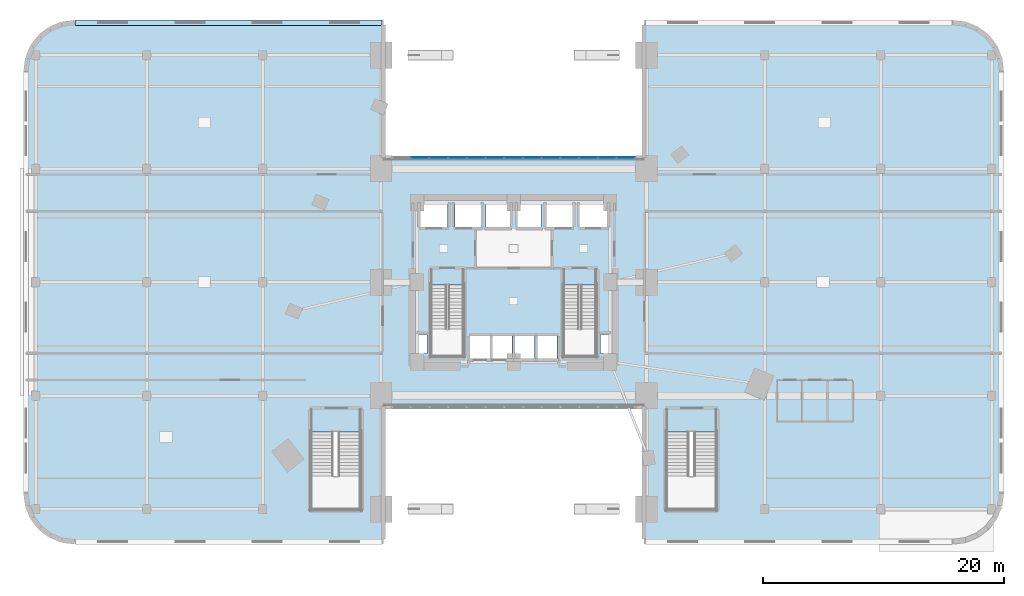
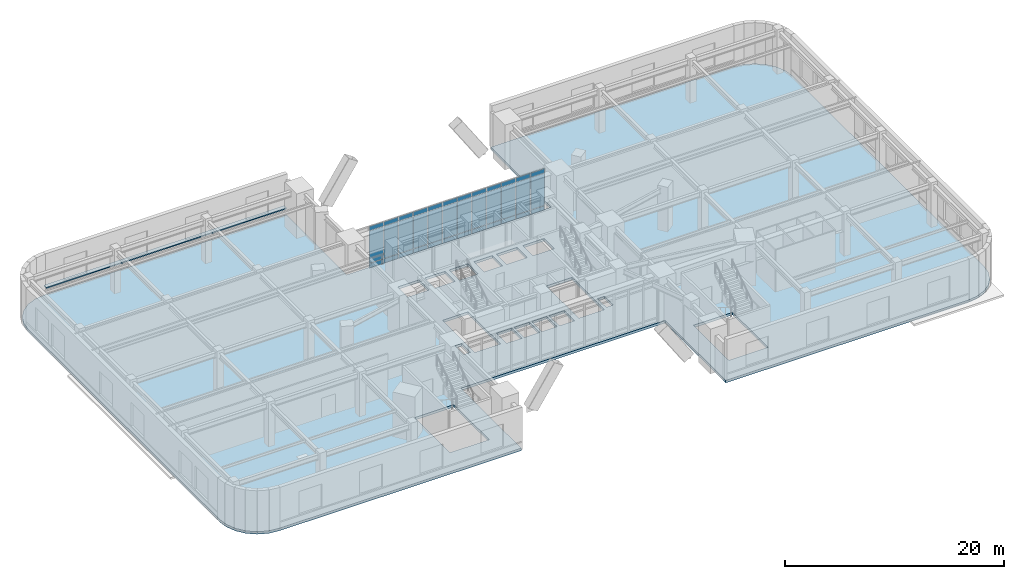
# One storey, part 17 of 26: 37 plates, 1 slab, 1 element without a shape of its own.
"""IFC4 building model written with IfcOpenShell, lengths in metres."""

from ifc_helpers import new_model, si_unit, direction, frame, origin, origin_2d, place, context, subcontext, project, spatial, polyline, rectangle, outline, extrude, material, layer, layer_set, type_object, element, aggregate, save


model = new_model("IFC4")

# Units and contexts
model_context = context("Model", 3, precision=1e-05, world=origin(), true_north=direction((0.0, 1.0)))
body_context = subcontext(model_context, "Body", "Model", "MODEL_VIEW")
ifc_project = project(units=[si_unit("LENGTHUNIT", "METRE"), si_unit("AREAUNIT", "SQUARE_METRE"), si_unit("VOLUMEUNIT", "CUBIC_METRE"), si_unit("PLANEANGLEUNIT", "RADIAN"), si_unit("MASSUNIT", "GRAM", prefix="KILO")], contexts=[model_context])

# Site, building, storey
site_placement = place(None, origin())
site = spatial("IfcSite", under=ifc_project, at=site_placement, CompositionType="ELEMENT")
building_placement = place(site_placement, origin())
building = spatial("IfcBuilding", under=site, at=building_placement, Name="Ndelora Gate Hotel", CompositionType="ELEMENT")
storey_placement = place(building_placement, frame((0.0, 0.0, 6.0)))
storey = spatial("IfcBuildingStorey", under=building, at=storey_placement, Name="L01", CompositionType="ELEMENT", Elevation=6.0)

# Curtain wall, plates
ifc_material_1 = material(Name="Bronze Anodised Unitised Aluminium and Low-E Glass", Category="aluminium")
ifc_layer_1 = layer(ifc_material_1, 0.239990234375)
ifc_layer_set_1 = layer_set([ifc_layer_1], Name="Bronze Anodised Unitised Aluminium and Low-E Glass")
curtain_wall_type = type_object("IfcCurtainWallType", Name="CW-SYS-1", PredefinedType="NOTDEFINED", material=ifc_layer_set_1)
curtain_wall_placement = place(storey_placement, origin())
curtain_wall = element("IfcCurtainWall", 1, at=curtain_wall_placement, inside=storey, type_object=curtain_wall_type, Name="L01 North Portal Arch Concourse Curtain Wall CW1", PredefinedType="NOTDEFINED")
ifc_material_2 = material(Name="Solar-Control Low-E Insulated Glazing", Category="glass")
ifc_layer_2 = layer(ifc_material_2, 0.048095703125)
ifc_layer_set_2 = layer_set([ifc_layer_2], Name="Solar-Control Low-E Insulated Glazing")
plate_type_1 = type_object("IfcPlateType", Name="PL-CW-GLZ36", PredefinedType="CURTAIN_PANEL", material=ifc_layer_set_2)
plate_1_placement = place(storey_placement, frame((9.287109375, 10.320068359375, 0.05908203125), z_axis=(0.0, 0.0, 1.0), x_axis=(-1.0, 0.0, 0.0)))
plate_1 = element("IfcPlate", 2, at=plate_1_placement, type_object=plate_type_1, Name="CW1 panel 1.1", PredefinedType="CURTAIN_PANEL", context=body_context, shape_type="SweptSolid", body=[
    extrude(rectangle(XDim=1.457763671875, YDim=0.048095703125, at=origin_2d()), origin(), (0.0, 0.0, 1.0), 0.464599609375),
])
plate_2_placement = place(storey_placement, frame((9.287109375, 10.320068359375, 0.57666015625), z_axis=(0.0, 0.0, 1.0), x_axis=(-1.0, 0.0, 0.0)))
plate_2 = element("IfcPlate", 3, at=plate_2_placement, type_object=plate_type_1, Name="CW1 panel 1.2", PredefinedType="CURTAIN_PANEL", context=body_context, shape_type="SweptSolid", body=[
    extrude(rectangle(XDim=1.457763671875, YDim=0.048095703125, at=origin_2d()), origin(), (0.0, 0.0, 1.0), 3.56689453125),
])
plate_3_placement = place(storey_placement, frame((9.287109375, 10.320068359375, 4.1962890625), z_axis=(0.0, 0.0, 1.0), x_axis=(-1.0, 0.0, 0.0)))
plate_3 = element("IfcPlate", 4, at=plate_3_placement, type_object=plate_type_1, Name="CW1 panel 1.3", PredefinedType="CURTAIN_PANEL", context=body_context, shape_type="SweptSolid", body=[
    extrude(rectangle(XDim=1.457763671875, YDim=0.048095703125, at=origin_2d()), origin(), (0.0, 0.0, 1.0), 0.464599609375),
])
plate_4_placement = place(storey_placement, frame((7.75390625, 10.320068359375, 0.05908203125), z_axis=(0.0, 0.0, 1.0), x_axis=(-1.0, 0.0, 0.0)))
plate_4 = element("IfcPlate", 5, at=plate_4_placement, type_object=plate_type_1, Name="CW1 panel 2.1", PredefinedType="CURTAIN_PANEL", context=body_context, shape_type="SweptSolid", body=[
    extrude(rectangle(XDim=1.49267578125, YDim=0.048095703125, at=origin_2d()), origin(), (0.0, 0.0, 1.0), 0.464599609375),
])
plate_5_placement = place(storey_placement, frame((7.75390625, 10.320068359375, 0.57666015625), z_axis=(0.0, 0.0, 1.0), x_axis=(-1.0, 0.0, 0.0)))
plate_5 = element("IfcPlate", 6, at=plate_5_placement, type_object=plate_type_1, Name="CW1 panel 2.2", PredefinedType="CURTAIN_PANEL", context=body_context, shape_type="SweptSolid", body=[
    extrude(rectangle(XDim=1.49267578125, YDim=0.048095703125, at=origin_2d()), origin(), (0.0, 0.0, 1.0), 3.56689453125),
])
plate_6_placement = place(storey_placement, frame((7.75390625, 10.320068359375, 4.1962890625), z_axis=(0.0, 0.0, 1.0), x_axis=(-1.0, 0.0, 0.0)))
plate_6 = element("IfcPlate", 7, at=plate_6_placement, type_object=plate_type_1, Name="CW1 panel 2.3", PredefinedType="CURTAIN_PANEL", context=body_context, shape_type="SweptSolid", body=[
    extrude(rectangle(XDim=1.49267578125, YDim=0.048095703125, at=origin_2d()), origin(), (0.0, 0.0, 1.0), 0.464599609375),
])
plate_7_placement = place(storey_placement, frame((6.203125, 10.320068359375, 0.05908203125), z_axis=(0.0, 0.0, 1.0), x_axis=(-1.0, 0.0, 0.0)))
plate_7 = element("IfcPlate", 8, at=plate_7_placement, type_object=plate_type_1, Name="CW1 panel 3.1", PredefinedType="CURTAIN_PANEL", context=body_context, shape_type="SweptSolid", body=[
    extrude(rectangle(XDim=1.49267578125, YDim=0.048095703125, at=origin_2d()), origin(), (0.0, 0.0, 1.0), 0.464599609375),
])
plate_8_placement = place(storey_placement, frame((6.203125, 10.320068359375, 0.57666015625), z_axis=(0.0, 0.0, 1.0), x_axis=(-1.0, 0.0, 0.0)))
plate_8 = element("IfcPlate", 9, at=plate_8_placement, type_object=plate_type_1, Name="CW1 panel 3.2", PredefinedType="CURTAIN_PANEL", context=body_context, shape_type="SweptSolid", body=[
    extrude(rectangle(XDim=1.49267578125, YDim=0.048095703125, at=origin_2d()), origin(), (0.0, 0.0, 1.0), 3.56689453125),
])
plate_9_placement = place(storey_placement, frame((6.203125, 10.320068359375, 4.1962890625), z_axis=(0.0, 0.0, 1.0), x_axis=(-1.0, 0.0, 0.0)))
plate_9 = element("IfcPlate", 10, at=plate_9_placement, type_object=plate_type_1, Name="CW1 panel 3.3", PredefinedType="CURTAIN_PANEL", context=body_context, shape_type="SweptSolid", body=[
    extrude(rectangle(XDim=1.49267578125, YDim=0.048095703125, at=origin_2d()), origin(), (0.0, 0.0, 1.0), 0.464599609375),
])
plate_10_placement = place(storey_placement, frame((4.65234375, 10.320068359375, 0.05908203125), z_axis=(0.0, 0.0, 1.0), x_axis=(-1.0, 0.0, 0.0)))
plate_10 = element("IfcPlate", 11, at=plate_10_placement, type_object=plate_type_1, Name="CW1 panel 4.1", PredefinedType="CURTAIN_PANEL", context=body_context, shape_type="SweptSolid", body=[
    extrude(rectangle(XDim=1.49267578125, YDim=0.048095703125, at=origin_2d()), origin(), (0.0, 0.0, 1.0), 0.464599609375),
])
plate_11_placement = place(storey_placement, frame((4.65234375, 10.320068359375, 0.57666015625), z_axis=(0.0, 0.0, 1.0), x_axis=(-1.0, 0.0, 0.0)))
plate_11 = element("IfcPlate", 12, at=plate_11_placement, type_object=plate_type_1, Name="CW1 panel 4.2", PredefinedType="CURTAIN_PANEL", context=body_context, shape_type="SweptSolid", body=[
    extrude(rectangle(XDim=1.49267578125, YDim=0.048095703125, at=origin_2d()), origin(), (0.0, 0.0, 1.0), 3.56689453125),
])
plate_12_placement = place(storey_placement, frame((4.65234375, 10.320068359375, 4.1962890625), z_axis=(0.0, 0.0, 1.0), x_axis=(-1.0, 0.0, 0.0)))
plate_12 = element("IfcPlate", 13, at=plate_12_placement, type_object=plate_type_1, Name="CW1 panel 4.3", PredefinedType="CURTAIN_PANEL", context=body_context, shape_type="SweptSolid", body=[
    extrude(rectangle(XDim=1.49267578125, YDim=0.048095703125, at=origin_2d()), origin(), (0.0, 0.0, 1.0), 0.464599609375),
])
plate_13_placement = place(storey_placement, frame((3.1015625, 10.320068359375, 0.05908203125), z_axis=(0.0, 0.0, 1.0), x_axis=(-1.0, 0.0, 0.0)))
plate_13 = element("IfcPlate", 14, at=plate_13_placement, type_object=plate_type_1, Name="CW1 panel 5.1", PredefinedType="CURTAIN_PANEL", context=body_context, shape_type="SweptSolid", body=[
    extrude(rectangle(XDim=1.49267578125, YDim=0.048095703125, at=origin_2d()), origin(), (0.0, 0.0, 1.0), 0.464599609375),
])
plate_14_placement = place(storey_placement, frame((3.1015625, 10.320068359375, 0.57666015625), z_axis=(0.0, 0.0, 1.0), x_axis=(-1.0, 0.0, 0.0)))
plate_14 = element("IfcPlate", 15, at=plate_14_placement, type_object=plate_type_1, Name="CW1 panel 5.2", PredefinedType="CURTAIN_PANEL", context=body_context, shape_type="SweptSolid", body=[
    extrude(rectangle(XDim=1.49267578125, YDim=0.048095703125, at=origin_2d()), origin(), (0.0, 0.0, 1.0), 3.56689453125),
])
plate_15_placement = place(storey_placement, frame((3.1015625, 10.320068359375, 4.1962890625), z_axis=(0.0, 0.0, 1.0), x_axis=(-1.0, 0.0, 0.0)))
plate_15 = element("IfcPlate", 16, at=plate_15_placement, type_object=plate_type_1, Name="CW1 panel 5.3", PredefinedType="CURTAIN_PANEL", context=body_context, shape_type="SweptSolid", body=[
    extrude(rectangle(XDim=1.49267578125, YDim=0.048095703125, at=origin_2d()), origin(), (0.0, 0.0, 1.0), 0.464599609375),
])
plate_16_placement = place(storey_placement, frame((1.55078125, 10.320068359375, 0.05908203125), z_axis=(0.0, 0.0, 1.0), x_axis=(-1.0, 0.0, 0.0)))
plate_16 = element("IfcPlate", 17, at=plate_16_placement, type_object=plate_type_1, Name="CW1 panel 6.1", PredefinedType="CURTAIN_PANEL", context=body_context, shape_type="SweptSolid", body=[
    extrude(rectangle(XDim=1.49267578125, YDim=0.048095703125, at=origin_2d()), origin(), (0.0, 0.0, 1.0), 0.464599609375),
])
plate_17_placement = place(storey_placement, frame((1.55078125, 10.320068359375, 0.57666015625), z_axis=(0.0, 0.0, 1.0), x_axis=(-1.0, 0.0, 0.0)))
plate_17 = element("IfcPlate", 18, at=plate_17_placement, type_object=plate_type_1, Name="CW1 panel 6.2", PredefinedType="CURTAIN_PANEL", context=body_context, shape_type="SweptSolid", body=[
    extrude(rectangle(XDim=1.49267578125, YDim=0.048095703125, at=origin_2d()), origin(), (0.0, 0.0, 1.0), 3.56689453125),
])
plate_18_placement = place(storey_placement, frame((1.55078125, 10.320068359375, 4.1962890625), z_axis=(0.0, 0.0, 1.0), x_axis=(-1.0, 0.0, 0.0)))
plate_18 = element("IfcPlate", 19, at=plate_18_placement, type_object=plate_type_1, Name="CW1 panel 6.3", PredefinedType="CURTAIN_PANEL", context=body_context, shape_type="SweptSolid", body=[
    extrude(rectangle(XDim=1.49267578125, YDim=0.048095703125, at=origin_2d()), origin(), (0.0, 0.0, 1.0), 0.464599609375),
])
plate_19_placement = place(storey_placement, frame((0.0, 10.320068359375, 0.05908203125), z_axis=(0.0, 0.0, 1.0), x_axis=(-1.0, 0.0, 0.0)))
plate_19 = element("IfcPlate", 20, at=plate_19_placement, type_object=plate_type_1, Name="CW1 panel 7.1", PredefinedType="CURTAIN_PANEL", context=body_context, shape_type="SweptSolid", body=[
    extrude(rectangle(XDim=1.49267578125, YDim=0.048095703125, at=origin_2d()), origin(), (0.0, 0.0, 1.0), 0.464599609375),
])
plate_20_placement = place(storey_placement, frame((0.0, 10.320068359375, 0.57666015625), z_axis=(0.0, 0.0, 1.0), x_axis=(-1.0, 0.0, 0.0)))
plate_20 = element("IfcPlate", 21, at=plate_20_placement, type_object=plate_type_1, Name="CW1 panel 7.2", PredefinedType="CURTAIN_PANEL", context=body_context, shape_type="SweptSolid", body=[
    extrude(rectangle(XDim=1.49267578125, YDim=0.048095703125, at=origin_2d()), origin(), (0.0, 0.0, 1.0), 3.56689453125),
])
plate_21_placement = place(storey_placement, frame((0.0, 10.320068359375, 4.1962890625), z_axis=(0.0, 0.0, 1.0), x_axis=(-1.0, 0.0, 0.0)))
plate_21 = element("IfcPlate", 22, at=plate_21_placement, type_object=plate_type_1, Name="CW1 panel 7.3", PredefinedType="CURTAIN_PANEL", context=body_context, shape_type="SweptSolid", body=[
    extrude(rectangle(XDim=1.49267578125, YDim=0.048095703125, at=origin_2d()), origin(), (0.0, 0.0, 1.0), 0.464599609375),
])
plate_22_placement = place(storey_placement, frame((-1.55078125, 10.320068359375, 0.05908203125), z_axis=(0.0, 0.0, 1.0), x_axis=(-1.0, 0.0, 0.0)))
plate_22 = element("IfcPlate", 23, at=plate_22_placement, type_object=plate_type_1, Name="CW1 panel 8.1", PredefinedType="CURTAIN_PANEL", context=body_context, shape_type="SweptSolid", body=[
    extrude(rectangle(XDim=1.49267578125, YDim=0.048095703125, at=origin_2d()), origin(), (0.0, 0.0, 1.0), 0.464599609375),
])
plate_23_placement = place(storey_placement, frame((-1.55078125, 10.320068359375, 0.57666015625), z_axis=(0.0, 0.0, 1.0), x_axis=(-1.0, 0.0, 0.0)))
plate_23 = element("IfcPlate", 24, at=plate_23_placement, type_object=plate_type_1, Name="CW1 panel 8.2", PredefinedType="CURTAIN_PANEL", context=body_context, shape_type="SweptSolid", body=[
    extrude(rectangle(XDim=1.49267578125, YDim=0.048095703125, at=origin_2d()), origin(), (0.0, 0.0, 1.0), 3.56689453125),
])
plate_24_placement = place(storey_placement, frame((-1.55078125, 10.320068359375, 4.1962890625), z_axis=(0.0, 0.0, 1.0), x_axis=(-1.0, 0.0, 0.0)))
plate_24 = element("IfcPlate", 25, at=plate_24_placement, type_object=plate_type_1, Name="CW1 panel 8.3", PredefinedType="CURTAIN_PANEL", context=body_context, shape_type="SweptSolid", body=[
    extrude(rectangle(XDim=1.49267578125, YDim=0.048095703125, at=origin_2d()), origin(), (0.0, 0.0, 1.0), 0.464599609375),
])
plate_25_placement = place(storey_placement, frame((-3.1015625, 10.320068359375, 0.05908203125), z_axis=(0.0, 0.0, 1.0), x_axis=(-1.0, 0.0, 0.0)))
plate_25 = element("IfcPlate", 26, at=plate_25_placement, type_object=plate_type_1, Name="CW1 panel 9.1", PredefinedType="CURTAIN_PANEL", context=body_context, shape_type="SweptSolid", body=[
    extrude(rectangle(XDim=1.49267578125, YDim=0.048095703125, at=origin_2d()), origin(), (0.0, 0.0, 1.0), 0.464599609375),
])
plate_26_placement = place(storey_placement, frame((-3.1015625, 10.320068359375, 0.57666015625), z_axis=(0.0, 0.0, 1.0), x_axis=(-1.0, 0.0, 0.0)))
plate_26 = element("IfcPlate", 27, at=plate_26_placement, type_object=plate_type_1, Name="CW1 panel 9.2", PredefinedType="CURTAIN_PANEL", context=body_context, shape_type="SweptSolid", body=[
    extrude(rectangle(XDim=1.49267578125, YDim=0.048095703125, at=origin_2d()), origin(), (0.0, 0.0, 1.0), 3.56689453125),
])
plate_27_placement = place(storey_placement, frame((-3.1015625, 10.320068359375, 4.1962890625), z_axis=(0.0, 0.0, 1.0), x_axis=(-1.0, 0.0, 0.0)))
plate_27 = element("IfcPlate", 28, at=plate_27_placement, type_object=plate_type_1, Name="CW1 panel 9.3", PredefinedType="CURTAIN_PANEL", context=body_context, shape_type="SweptSolid", body=[
    extrude(rectangle(XDim=1.49267578125, YDim=0.048095703125, at=origin_2d()), origin(), (0.0, 0.0, 1.0), 0.464599609375),
])
plate_28_placement = place(storey_placement, frame((-4.65234375, 10.320068359375, 0.05908203125), z_axis=(0.0, 0.0, 1.0), x_axis=(-1.0, 0.0, 0.0)))
plate_28 = element("IfcPlate", 29, at=plate_28_placement, type_object=plate_type_1, Name="CW1 panel 10.1", PredefinedType="CURTAIN_PANEL", context=body_context, shape_type="SweptSolid", body=[
    extrude(rectangle(XDim=1.49267578125, YDim=0.048095703125, at=origin_2d()), origin(), (0.0, 0.0, 1.0), 0.464599609375),
])
plate_29_placement = place(storey_placement, frame((-4.65234375, 10.320068359375, 0.57666015625), z_axis=(0.0, 0.0, 1.0), x_axis=(-1.0, 0.0, 0.0)))
plate_29 = element("IfcPlate", 30, at=plate_29_placement, type_object=plate_type_1, Name="CW1 panel 10.2", PredefinedType="CURTAIN_PANEL", context=body_context, shape_type="SweptSolid", body=[
    extrude(rectangle(XDim=1.49267578125, YDim=0.048095703125, at=origin_2d()), origin(), (0.0, 0.0, 1.0), 3.56689453125),
])
plate_30_placement = place(storey_placement, frame((-4.65234375, 10.320068359375, 4.1962890625), z_axis=(0.0, 0.0, 1.0), x_axis=(-1.0, 0.0, 0.0)))
plate_30 = element("IfcPlate", 31, at=plate_30_placement, type_object=plate_type_1, Name="CW1 panel 10.3", PredefinedType="CURTAIN_PANEL", context=body_context, shape_type="SweptSolid", body=[
    extrude(rectangle(XDim=1.49267578125, YDim=0.048095703125, at=origin_2d()), origin(), (0.0, 0.0, 1.0), 0.464599609375),
])
plate_31_placement = place(storey_placement, frame((-6.203125, 10.320068359375, 0.05908203125), z_axis=(0.0, 0.0, 1.0), x_axis=(-1.0, 0.0, 0.0)))
plate_31 = element("IfcPlate", 32, at=plate_31_placement, type_object=plate_type_1, Name="CW1 panel 11.1", PredefinedType="CURTAIN_PANEL", context=body_context, shape_type="SweptSolid", body=[
    extrude(rectangle(XDim=1.49267578125, YDim=0.048095703125, at=origin_2d()), origin(), (0.0, 0.0, 1.0), 0.464599609375),
])
plate_32_placement = place(storey_placement, frame((-6.203125, 10.320068359375, 0.57666015625), z_axis=(0.0, 0.0, 1.0), x_axis=(-1.0, 0.0, 0.0)))
plate_32 = element("IfcPlate", 33, at=plate_32_placement, type_object=plate_type_1, Name="CW1 panel 11.2", PredefinedType="CURTAIN_PANEL", context=body_context, shape_type="SweptSolid", body=[
    extrude(rectangle(XDim=1.49267578125, YDim=0.048095703125, at=origin_2d()), origin(), (0.0, 0.0, 1.0), 3.56689453125),
])
plate_33_placement = place(storey_placement, frame((-6.203125, 10.320068359375, 4.1962890625), z_axis=(0.0, 0.0, 1.0), x_axis=(-1.0, 0.0, 0.0)))
plate_33 = element("IfcPlate", 34, at=plate_33_placement, type_object=plate_type_1, Name="CW1 panel 11.3", PredefinedType="CURTAIN_PANEL", context=body_context, shape_type="SweptSolid", body=[
    extrude(rectangle(XDim=1.49267578125, YDim=0.048095703125, at=origin_2d()), origin(), (0.0, 0.0, 1.0), 0.464599609375),
])
plate_34_placement = place(storey_placement, frame((-7.75390625, 10.320068359375, 0.05908203125), z_axis=(0.0, 0.0, 1.0), x_axis=(-1.0, 0.0, 0.0)))
plate_34 = element("IfcPlate", 35, at=plate_34_placement, type_object=plate_type_1, Name="CW1 panel 12.1", PredefinedType="CURTAIN_PANEL", context=body_context, shape_type="SweptSolid", body=[
    extrude(rectangle(XDim=1.49267578125, YDim=0.048095703125, at=origin_2d()), origin(), (0.0, 0.0, 1.0), 0.464599609375),
])
plate_35_placement = place(storey_placement, frame((-7.75390625, 10.320068359375, 0.57666015625), z_axis=(0.0, 0.0, 1.0), x_axis=(-1.0, 0.0, 0.0)))
plate_35 = element("IfcPlate", 36, at=plate_35_placement, type_object=plate_type_1, Name="CW1 panel 12.2", PredefinedType="CURTAIN_PANEL", context=body_context, shape_type="SweptSolid", body=[
    extrude(rectangle(XDim=1.49267578125, YDim=0.048095703125, at=origin_2d()), origin(), (0.0, 0.0, 1.0), 3.56689453125),
])
plate_36_placement = place(storey_placement, frame((-7.75390625, 10.320068359375, 4.1962890625), z_axis=(0.0, 0.0, 1.0), x_axis=(-1.0, 0.0, 0.0)))
plate_36 = element("IfcPlate", 37, at=plate_36_placement, type_object=plate_type_1, Name="CW1 panel 12.3", PredefinedType="CURTAIN_PANEL", context=body_context, shape_type="SweptSolid", body=[
    extrude(rectangle(XDim=1.49267578125, YDim=0.048095703125, at=origin_2d()), origin(), (0.0, 0.0, 1.0), 0.464599609375),
])
aggregate(curtain_wall, [plate_1, plate_2, plate_3, plate_4, plate_5, plate_6, plate_7, plate_8, plate_9, plate_10, plate_11, plate_12, plate_13, plate_14, plate_15, plate_16, plate_17, plate_18, plate_19, plate_20, plate_21, plate_22, plate_23, plate_24, plate_25, plate_26, plate_27, plate_28, plate_29, plate_30, plate_31, plate_32, plate_33, plate_34, plate_35, plate_36])

# Plate
ifc_material_3 = material(Name="Precast concrete C40/50", Category="concrete")
ifc_layer_3 = layer(ifc_material_3, 0.125)
ifc_layer_set_3 = layer_set([ifc_layer_3], Name="Precast concrete C40/50")
plate_type_2 = type_object("IfcPlateType", Name="PL-SILL-120", PredefinedType="USERDEFINED", material=ifc_layer_set_3)
plate_37_placement = place(storey_placement, frame((-23.60009765625, 21.5, 0.8173828125), z_axis=(0.0, 0.0, 1.0), x_axis=(1.0, 0.0, 0.0)))
element("IfcPlate", 38, at=plate_37_placement, inside=storey, type_object=plate_type_2, Name="L01 Precast Concrete Ribbon Sill Band 14", ObjectType="RIBBON_SILL", PredefinedType="USERDEFINED", context=body_context, shape_type="SweptSolid", body=[
    extrude(rectangle(XDim=25.39990234375, YDim=0.43994140625, at=origin_2d()), origin(), (0.0, 0.0, 1.0), 0.125),
])

# Slab
ifc_material_4 = material(Name="Concrete C40/50", Category="concrete")
ifc_layer_4 = layer(ifc_material_4, 0.280029296875)
ifc_layer_set_4 = layer_set([ifc_layer_4], Name="Concrete C40/50")
slab_type = type_object("IfcSlabType", Name="SL-POD-280", PredefinedType="FLOOR", material=ifc_layer_set_4)
slab_placement = place(storey_placement, frame((0.0, 0.0, -0.280029296875)))
element("IfcSlab", 39, at=slab_placement, inside=storey, type_object=slab_type, Name="L01 Portal Arch Flanking Podium Slab", PredefinedType="FLOOR", context=body_context, shape_type="SweptSolid", body=[
    extrude(outline(polyline([(-36.39990234375, -21.5), (-10.800048828125, -21.5), (-10.800048828125, -10.449951171875), (10.800048828125, -10.449951171875), (10.800048828125, -21.5), (36.39990234375, -21.5), (37.435302734375, -21.36376953125), (38.39990234375, -20.964111328125), (39.228515625, -20.328369140625), (39.864013671875, -19.5), (40.263671875, -18.535400390625), (40.39990234375, -17.5), (40.39990234375, 17.5), (40.263671875, 18.535400390625), (39.864013671875, 19.5), (39.228515625, 20.328369140625), (38.39990234375, 20.964111328125), (37.435302734375, 21.36376953125), (36.39990234375, 21.5), (10.800048828125, 21.5), (10.800048828125, 10.449951171875), (-10.800048828125, 10.449951171875), (-10.800048828125, 21.5), (-36.39990234375, 21.5), (-37.435302734375, 21.36376953125), (-38.39990234375, 20.964111328125), (-39.228515625, 20.328369140625), (-39.864013671875, 19.5), (-40.263671875, 18.535400390625), (-40.39990234375, 17.5), (-40.39990234375, -17.5), (-40.263671875, -18.535400390625), (-39.864013671875, -19.5), (-39.228515625, -20.328369140625), (-38.39990234375, -20.964111328125), (-37.435302734375, -21.36376953125), (-36.39990234375, -21.5)]), holes=[polyline([(-6.85009765625, -0.22998046875), (-6.85009765625, -6.14990234375), (-4.1298828125, -6.14990234375), (-4.1298828125, -0.22998046875), (-6.85009765625, -0.22998046875)]), polyline([(4.1298828125, -0.22998046875), (4.1298828125, -6.14990234375), (6.85009765625, -6.14990234375), (6.85009765625, -0.22998046875), (4.1298828125, -0.22998046875)]), polyline([(-16.800048828125, -12.39990234375), (-16.800048828125, -18.85009765625), (-12.659912109375, -18.85009765625), (-12.659912109375, -12.39990234375), (-16.800048828125, -12.39990234375)]), polyline([(12.659912109375, -12.39990234375), (12.659912109375, -18.85009765625), (16.800048828125, -18.85009765625), (16.800048828125, -12.39990234375), (12.659912109375, -12.39990234375)]), polyline([(-7.72998046875, 4.570068359375), (-5.469970703125, 4.570068359375), (-5.469970703125, 6.429931640625), (-7.72998046875, 6.429931640625), (-7.72998046875, 4.570068359375)]), polyline([(5.469970703125, 4.570068359375), (7.72998046875, 4.570068359375), (7.72998046875, 6.429931640625), (5.469970703125, 6.429931640625), (5.469970703125, 4.570068359375)]), polyline([(-4.8798828125, 4.570068359375), (-2.719970703125, 4.570068359375), (-2.719970703125, 6.429931640625), (-4.8798828125, 6.429931640625), (-4.8798828125, 4.570068359375)]), polyline([(2.719970703125, 4.570068359375), (4.8798828125, 4.570068359375), (4.8798828125, 6.429931640625), (2.719970703125, 6.429931640625), (2.719970703125, 4.570068359375)]), polyline([(-3.60009765625, -6.330078125), (-1.97998046875, -6.330078125), (-1.97998046875, -4.469970703125), (-3.60009765625, -4.469970703125), (-3.60009765625, -6.330078125)]), polyline([(-1.739990234375, -6.330078125), (-0.1201171875, -6.330078125), (-0.1201171875, -4.469970703125), (-1.739990234375, -4.469970703125), (-1.739990234375, -6.330078125)]), polyline([(0.1201171875, -6.330078125), (1.739990234375, -6.330078125), (1.739990234375, -4.469970703125), (0.1201171875, -4.469970703125), (0.1201171875, -6.330078125)]), polyline([(1.97998046875, -6.330078125), (3.60009765625, -6.330078125), (3.60009765625, -4.469970703125), (1.97998046875, -4.469970703125), (1.97998046875, -6.330078125)]), polyline([(-2.280029296875, 4.570068359375), (-0.320068359375, 4.570068359375), (-0.320068359375, 6.429931640625), (-2.280029296875, 6.429931640625), (-2.280029296875, 4.570068359375)]), polyline([(0.320068359375, 4.570068359375), (2.280029296875, 4.570068359375), (2.280029296875, 6.429931640625), (0.320068359375, 6.429931640625), (0.320068359375, 4.570068359375)]), polyline([(-7.89990234375, -5.919921875), (-7.179931640625, -5.919921875), (-7.179931640625, -4.320068359375), (-7.89990234375, -4.320068359375), (-7.89990234375, -5.919921875)]), polyline([(7.179931640625, -5.919921875), (7.89990234375, -5.919921875), (7.89990234375, -4.320068359375), (7.179931640625, -4.320068359375), (7.179931640625, -5.919921875)])]), origin(), (0.0, 0.0, 1.0), 0.280029296875),
])

save(model, "model.ifc")
